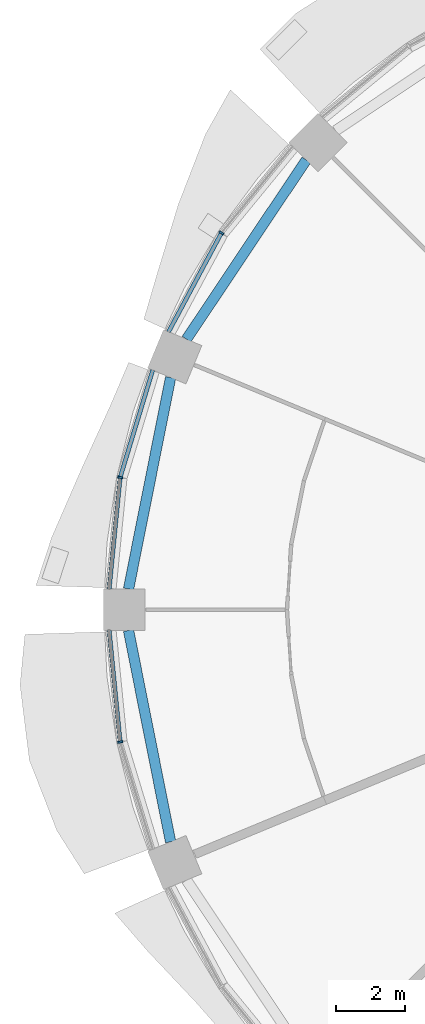
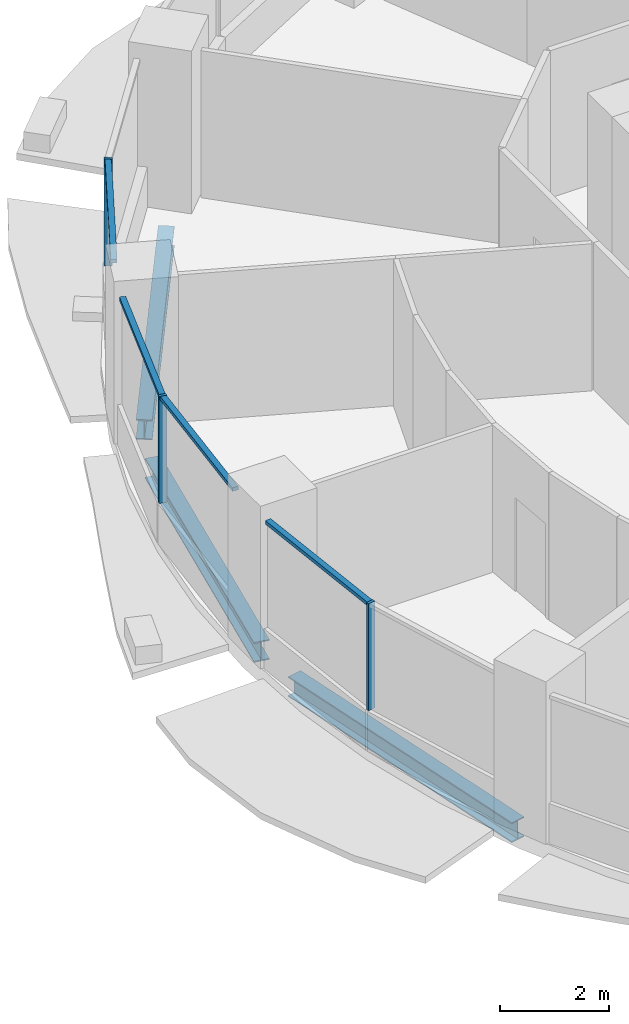
# One storey, part 4 of 15: 7 members, 3 beams, 3 elements without a shape of their own.
"""IFC4 building model written with IfcOpenShell, lengths in metres."""

from ifc_helpers import new_model, si_unit, direction, frame, origin, origin_2d, place, context, subcontext, project, spatial, rectangle, i_section, extrude, material, material_profile, profile_set, type_object, element, aggregate, save


model = new_model("IFC4")

# Units and contexts
model_context = context("Model", 3, precision=1e-05, world=origin(), true_north=direction((0.0, 1.0)))
body_context = subcontext(model_context, "Body", "Model", "MODEL_VIEW")
ifc_project = project(units=[si_unit("LENGTHUNIT", "METRE"), si_unit("AREAUNIT", "SQUARE_METRE"), si_unit("VOLUMEUNIT", "CUBIC_METRE"), si_unit("PLANEANGLEUNIT", "RADIAN"), si_unit("MASSUNIT", "GRAM", prefix="KILO")], contexts=[model_context])

# Site, building, storey
site_placement = place(None, origin())
site = spatial("IfcSite", under=ifc_project, at=site_placement, CompositionType="ELEMENT")
building_placement = place(site_placement, origin())
building = spatial("IfcBuilding", under=site, at=building_placement, Name="Polderwave Tower", CompositionType="ELEMENT")
storey_placement = place(building_placement, frame((0.0, 0.0, 44.449951171875)))
storey = spatial("IfcBuildingStorey", under=building, at=storey_placement, Name="L11", CompositionType="ELEMENT", Elevation=44.449951171875)

# Curtain wall, member
ifc_material_1 = material(Name="Aluminium 6063-T6 and glass", Category="aluminium")
curtain_wall_type = type_object("IfcCurtainWallType", Name="Growing floor ribbon glazing wall", PredefinedType="NOTDEFINED", material=ifc_material_1)
curtain_wall_1_placement = place(storey_placement, origin())
curtain_wall_1 = element("IfcCurtainWall", 1, at=curtain_wall_1_placement, inside=storey, type_object=curtain_wall_type, Name="CW2 L11 06", PredefinedType="NOTDEFINED")
ifc_material_2 = material(Name="Aluminium 6063-T6", Category="aluminium")
ifc_material_profile_1 = material_profile(ifc_material_2, rectangle(XDim=0.14990234375, YDim=0.06005859375, at=origin_2d()), Name="AL 60x150")
ifc_profile_set_1 = profile_set([ifc_material_profile_1], Name="Aluminium 6063-T6")
member_type_1 = type_object("IfcMemberType", Name="Growing floor ribbon glazing mullion 60x150", PredefinedType="MULLION", material=ifc_profile_set_1)
member_1_placement = place(storey_placement, frame((-16.304931640625, 10.89501953125, 0.900146484375), z_axis=(0.0, 0.0, 1.0), x_axis=(0.831468642648, -0.555571684207, 0.0)))
member_1 = element("IfcMember", 2, at=member_1_placement, type_object=member_type_1, Name="CW2 mullion 1", PredefinedType="MULLION", context=body_context, shape_type="SweptSolid", body=[
    extrude(rectangle(XDim=0.14990234375, YDim=0.06005859375, at=origin_2d()), origin(), (0.0, 0.0, 1.0), 2.39990234375),
])

curtain_wall_2_placement = place(storey_placement, origin())
curtain_wall_2 = element("IfcCurtainWall", 3, at=curtain_wall_2_placement, inside=storey, type_object=curtain_wall_type, Name="CW2 L11 07", PredefinedType="NOTDEFINED")
member_2_placement = place(storey_placement, frame((-19.23291015625, 3.825927734375, 0.900146484375), z_axis=(0.0, 0.0, 1.0), x_axis=(0.980767911179, -0.195177622698, 0.0)))
member_2 = element("IfcMember", 4, at=member_2_placement, type_object=member_type_1, Name="CW2 mullion 1", PredefinedType="MULLION", context=body_context, shape_type="SweptSolid", body=[
    extrude(rectangle(XDim=0.14990234375, YDim=0.06005859375, at=origin_2d()), origin(), (0.0, 0.0, 1.0), 2.39990234375),
])

curtain_wall_3_placement = place(storey_placement, origin())
curtain_wall_3 = element("IfcCurtainWall", 5, at=curtain_wall_3_placement, inside=storey, type_object=curtain_wall_type, Name="CW2 L11 08", PredefinedType="NOTDEFINED")
member_3_placement = place(storey_placement, frame((-19.23291015625, -3.825927734375, 0.900146484375), z_axis=(0.0, 0.0, 1.0), x_axis=(0.980767911179, 0.195177622698, 0.0)))
member_3 = element("IfcMember", 6, at=member_3_placement, type_object=member_type_1, Name="CW2 mullion 1", PredefinedType="MULLION", context=body_context, shape_type="SweptSolid", body=[
    extrude(rectangle(XDim=0.14990234375, YDim=0.06005859375, at=origin_2d()), origin(), (0.0, 0.0, 1.0), 2.39990234375),
])

# Member
ifc_material_profile_2 = material_profile(ifc_material_2, rectangle(XDim=0.1201171875, YDim=0.080078125, at=origin_2d()), Name="AL 80x120")
ifc_profile_set_2 = profile_set([ifc_material_profile_2], Name="Aluminium 6063-T6")
member_type_2 = type_object("IfcMemberType", Name="Growing floor ribbon glazing transom 80x120", PredefinedType="USERDEFINED", material=ifc_profile_set_2)
member_4_placement = place(storey_placement, frame((-16.319091796875, 10.868408203125, 3.260009765625), z_axis=(-0.471373193578, -0.881933848072, 0.0), x_axis=(0.881933848072, -0.471373193578, 0.0)))
member_4 = element("IfcMember", 7, at=member_4_placement, type_object=member_type_2, Name="CW2 transom 2", ObjectType="TRANSOM", PredefinedType="USERDEFINED", context=body_context, shape_type="SweptSolid", body=[
    extrude(rectangle(XDim=0.1201171875, YDim=0.080078125, at=origin_2d()), origin(), (0.0, 0.0, 1.0), 3.211669921875),
])

aggregate(curtain_wall_1, [member_1, member_4])

member_5_placement = place(storey_placement, frame((-18.2919921875, 6.927001953125, 3.260009765625), z_axis=(-0.290402031143, -0.956904728961, 0.0), x_axis=(0.956904728961, -0.290402031143, 0.0)))
member_5 = element("IfcMember", 8, at=member_5_placement, type_object=member_type_2, Name="CW2 transom 1", ObjectType="TRANSOM", PredefinedType="USERDEFINED", context=body_context, shape_type="SweptSolid", body=[
    extrude(rectangle(XDim=0.1201171875, YDim=0.080078125, at=origin_2d()), origin(), (0.0, 0.0, 1.0), 3.210693359375),
])

member_6_placement = place(storey_placement, frame((-19.23583984375, 3.796142578125, 3.260009765625), z_axis=(-0.098141294442, -0.99517249074, 0.0), x_axis=(0.99517249074, -0.098141294442, 0.0)))
member_6 = element("IfcMember", 9, at=member_6_placement, type_object=member_type_2, Name="CW2 transom 2", ObjectType="TRANSOM", PredefinedType="USERDEFINED", context=body_context, shape_type="SweptSolid", body=[
    extrude(rectangle(XDim=0.1201171875, YDim=0.080078125, at=origin_2d()), origin(), (0.0, 0.0, 1.0), 3.211669921875),
])

aggregate(curtain_wall_2, [member_2, member_5, member_6])

member_7_placement = place(storey_placement, frame((-19.551025390625, -0.60009765625, 3.260009765625), z_axis=(0.098141294442, -0.99517249074, 0.0), x_axis=(0.99517249074, 0.098141294442, 0.0)))
member_7 = element("IfcMember", 10, at=member_7_placement, type_object=member_type_2, Name="CW2 transom 1", ObjectType="TRANSOM", PredefinedType="USERDEFINED", context=body_context, shape_type="SweptSolid", body=[
    extrude(rectangle(XDim=0.1201171875, YDim=0.080078125, at=origin_2d()), origin(), (0.0, 0.0, 1.0), 3.211669921875),
])

aggregate(curtain_wall_3, [member_3, member_7])

# Beams
ifc_material_3 = material(Name="Steel S355", Category="steel")
ifc_material_profile_3 = material_profile(ifc_material_3, i_section(OverallWidth=0.300048828125, OverallDepth=0.449951171875, WebThickness=0.013916015625, FlangeThickness=0.02587890625, at=origin_2d()), Name="HE 450 B")
ifc_profile_set_3 = profile_set([ifc_material_profile_3], Name="Steel S355")
beam_type = type_object("IfcBeamType", Name="RING BEAM HE 450 B", PredefinedType="BEAM", material=ifc_profile_set_3)
beam_placement = place(storey_placement, frame((-13.852783203125, 13.004150390625, -0.574951171875), z_axis=(-0.555558644, -0.831477355721, 0.0), x_axis=(0.831477355721, -0.555558644, 0.0)))
element("IfcBeam", 11, at=beam_placement, inside=storey, type_object=beam_type, Name="ST-RB-L11-06", PredefinedType="BEAM", context=body_context, shape_type="SweptSolid", body=[
    extrude(i_section(OverallWidth=0.300048828125, OverallDepth=0.449951171875, WebThickness=0.013916015625, FlangeThickness=0.02587890625, at=origin_2d()), origin(), (0.0, 0.0, 1.0), 6.232666015625),
])
for number, where, z_axis, x_axis, name in (
    (12, (-17.774658203125, 6.713134765625, -0.574951171875), (-0.195106645934, -0.980782033233, 0.0), (0.980782033233, -0.195106645934, 0.0), "ST-RB-L11-07"),
    (13, (-18.99072265625, -0.60009765625, -0.574951171875), (0.195106645934, -0.980782033233, 0.0), (0.980782033233, 0.195106645934, 0.0), "ST-RB-L11-08"),
):
    element("IfcBeam", number, at=place(storey_placement, frame(where, z_axis=z_axis, x_axis=x_axis)), inside=storey, type_object=beam_type, Name=name, PredefinedType="BEAM", context=body_context, shape_type="SweptSolid", body=[
        extrude(i_section(OverallWidth=0.300048828125, OverallDepth=0.449951171875, WebThickness=0.013916015625, FlangeThickness=0.02587890625, at=origin_2d()), origin(), (0.0, 0.0, 1.0), 6.23291015625),
    ])

save(model, "model.ifc")
